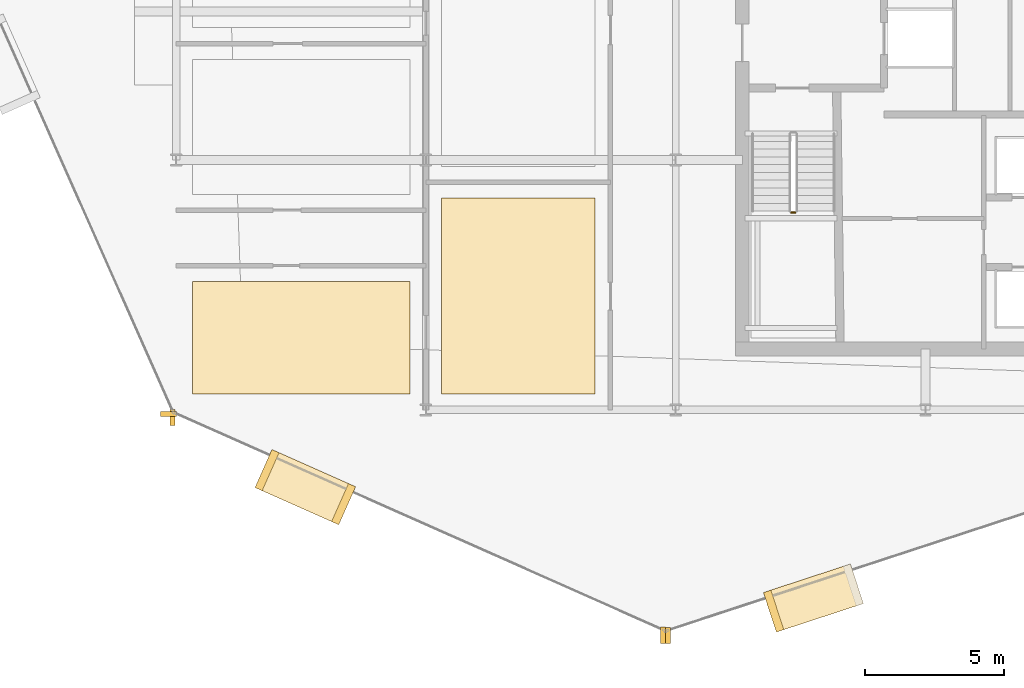
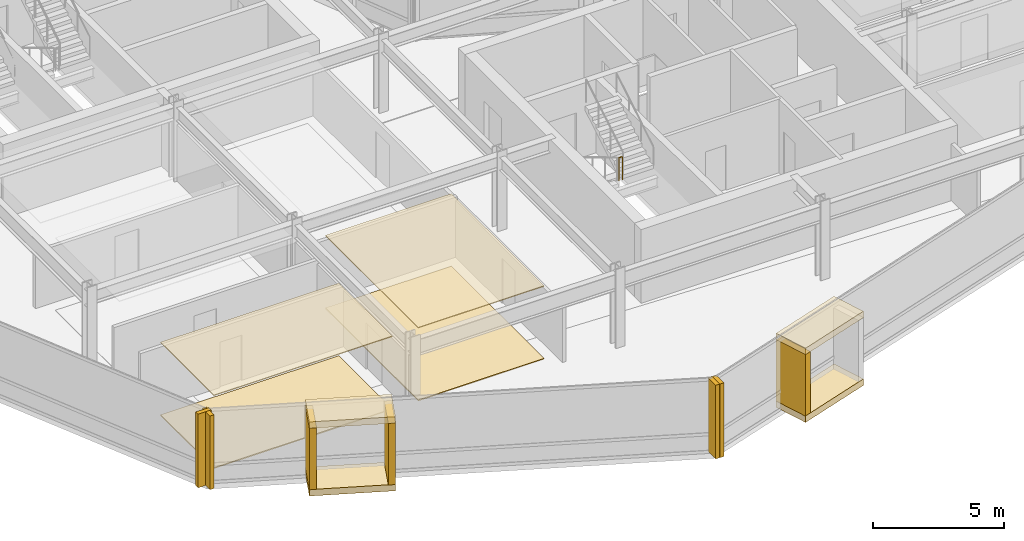
# One storey, part 25 of 29: 15 coverings, 1 railing.
"""IFC4 building model written with IfcOpenShell, lengths in metres."""

from ifc_helpers import new_model, si_unit, direction, frame, origin, origin_2d, place, context, subcontext, project, spatial, polyline, rectangle, circle, outline, extrude, material, layer, layer_set, type_object, element, save


model = new_model("IFC4")

# Units and contexts
model_context = context("Model", 3, precision=1e-05, world=origin(), true_north=direction((0.0, 1.0)))
body_context = subcontext(model_context, "Body", "Model", "MODEL_VIEW")
ifc_project = project(units=[si_unit("LENGTHUNIT", "METRE"), si_unit("AREAUNIT", "SQUARE_METRE"), si_unit("VOLUMEUNIT", "CUBIC_METRE"), si_unit("PLANEANGLEUNIT", "RADIAN"), si_unit("MASSUNIT", "GRAM", prefix="KILO")], contexts=[model_context])

# Site, building, storey
site_placement = place(None, origin())
site = spatial("IfcSite", under=ifc_project, at=site_placement, CompositionType="ELEMENT")
building_placement = place(site_placement, origin())
building = spatial("IfcBuilding", under=site, at=building_placement, Name="Solvaryn Broadcast Tower", CompositionType="ELEMENT")
storey_placement = place(building_placement, frame((0.0, 0.0, 143.300048828125)))
storey = spatial("IfcBuildingStorey", under=building, at=storey_placement, Name="L35", CompositionType="ELEMENT", Elevation=143.300048828125)

# Coverings
ifc_material_1 = material(Name="Micro-Perforated Acoustic Gypsum Ceiling", Category="concrete")
ifc_layer_1 = layer(ifc_material_1, 0.0400390625)
ifc_layer_set_1 = layer_set([ifc_layer_1], Name="CV-CEIL-ACOUSTIC")
covering_type_1 = type_object("IfcCoveringType", Name="CV-CEIL-ACOUSTIC", PredefinedType="CEILING", material=ifc_layer_set_1)
covering_1_placement = place(storey_placement, frame((0.0, 0.0, 3.3798828125)))
element("IfcCovering", 1, at=covering_1_placement, inside=storey, type_object=covering_type_1, Name="L35 Room Acoustic Ceiling 1", PredefinedType="CEILING", context=body_context, shape_type="SweptSolid", body=[
    extrude(outline(polyline([(18.570068359375, 9.570068359375), (24.10009765625, 9.570068359375), (24.10009765625, 16.6298828125), (18.570068359375, 16.6298828125), (18.570068359375, 9.570068359375)])), origin(), (0.0, 0.0, 1.0), 0.0400390625),
])
covering_2_placement = place(storey_placement, frame((0.0, 0.0, 3.3798828125)))
element("IfcCovering", 2, at=covering_2_placement, inside=storey, type_object=covering_type_1, Name="L35 Room Acoustic Ceiling 3", PredefinedType="CEILING", context=body_context, shape_type="SweptSolid", body=[
    extrude(outline(polyline([(9.60009765625, 9.570068359375), (17.429931640625, 9.570068359375), (17.429931640625, 13.6298828125), (9.60009765625, 13.6298828125), (9.60009765625, 9.570068359375)])), origin(), (0.0, 0.0, 1.0), 0.0400390625),
])
ifc_material_2 = material(Name="Newsroom Raised Data Access Flooring", Category="steel")
ifc_layer_2 = layer(ifc_material_2, 0.050048828125)
ifc_layer_set_2 = layer_set([ifc_layer_2], Name="CV-FLOOR-RAISED")
covering_type_2 = type_object("IfcCoveringType", Name="CV-FLOOR-RAISED", PredefinedType="FLOORING", material=ifc_layer_set_2)
covering_3_placement = place(storey_placement, origin())
element("IfcCovering", 3, at=covering_3_placement, inside=storey, type_object=covering_type_2, Name="L35 Room Acoustic Floor Finish 1", PredefinedType="FLOORING", context=body_context, shape_type="SweptSolid", body=[
    extrude(outline(polyline([(18.570068359375, 9.570068359375), (24.10009765625, 9.570068359375), (24.10009765625, 16.6298828125), (18.570068359375, 16.6298828125), (18.570068359375, 9.570068359375)])), origin(), (0.0, 0.0, 1.0), 0.050048828125),
])
covering_4_placement = place(storey_placement, origin())
element("IfcCovering", 4, at=covering_4_placement, inside=storey, type_object=covering_type_2, Name="L35 Room Acoustic Floor Finish 3", PredefinedType="FLOORING", context=body_context, shape_type="SweptSolid", body=[
    extrude(outline(polyline([(9.60009765625, 9.570068359375), (17.429931640625, 9.570068359375), (17.429931640625, 13.6298828125), (9.60009765625, 13.6298828125), (9.60009765625, 9.570068359375)])), origin(), (0.0, 0.0, 1.0), 0.050048828125),
])
ifc_material_3 = material(Name="Glazed Architectural Terracotta Rainscreen Cladding", Category="masonry")
ifc_layer_3 = layer(ifc_material_3, 0.280029296875)
ifc_layer_set_3 = layer_set([ifc_layer_3], Name="CV-TC-CLAD")
covering_type_3 = type_object("IfcCoveringType", Name="CV-TC-CLAD", PredefinedType="CLADDING", material=ifc_layer_set_3)
for number, where, z_axis, x_axis, name in (
    (5, (13.656982421875, 6.218994140625, 3.1298828125), (0.0, 0.0, 1.0), (0.913900054426, -0.405939269498, 0.0), "L35 Projecting Stone Window Box Hood 3"),
    (6, (13.656982421875, 6.218994140625, -0.01025390625), (0.0, 0.0, 1.0), (0.913900054426, -0.405939269498, 0.0), "L35 Projecting Stone Window Box Sill 3"),
):
    element("IfcCovering", number, at=place(storey_placement, frame(where, z_axis=z_axis, x_axis=x_axis)), inside=storey, type_object=covering_type_3, Name=name, PredefinedType="CLADDING", context=body_context, shape_type="SweptSolid", body=[
        extrude(rectangle(XDim=3.300048828125, YDim=1.5, at=origin_2d()), origin(), (0.0, 0.0, 1.0), 0.300048828125),
    ])
for number, where, z_axis, x_axis, name in (
    (7, (12.277099609375, 6.83203125, 0.27978515625), (0.0, 0.0, 1.0), (0.913900054426, -0.405939269498, 0.0), "L35 Projecting Stone Window Box Cheek 3-1"),
    (8, (15.037109375, 5.60595703125, 0.27978515625), (0.0, 0.0, 1.0), (0.913900054426, -0.405939269498, 0.0), "L35 Projecting Stone Window Box Cheek 3-2"),
):
    element("IfcCovering", number, at=place(storey_placement, frame(where, z_axis=z_axis, x_axis=x_axis)), inside=storey, type_object=covering_type_3, Name=name, PredefinedType="CLADDING", context=body_context, shape_type="SweptSolid", body=[
        extrude(rectangle(XDim=0.280029296875, YDim=1.5, at=origin_2d()), origin(), (0.0, 0.0, 1.0), 2.860107421875),
    ])
for number, where, z_axis, x_axis, name in (
    (9, (31.9619140625, 2.222900390625, 3.1298828125), (0.0, 0.0, 1.0), (0.950189870912, 0.311671636848, 0.0), "L35 Projecting Stone Window Box Hood 4"),
    (10, (31.9619140625, 2.222900390625, -0.01025390625), (0.0, 0.0, 1.0), (0.950189870912, 0.311671636848, 0.0), "L35 Projecting Stone Window Box Sill 4"),
):
    element("IfcCovering", number, at=place(storey_placement, frame(where, z_axis=z_axis, x_axis=x_axis)), inside=storey, type_object=covering_type_3, Name=name, PredefinedType="CLADDING", context=body_context, shape_type="SweptSolid", body=[
        extrude(rectangle(XDim=3.300048828125, YDim=1.5, at=origin_2d()), origin(), (0.0, 0.0, 1.0), 0.300048828125),
    ])
covering_5_placement = place(storey_placement, frame((30.527099609375, 1.75244140625, 0.27978515625), z_axis=(0.0, 0.0, 1.0), x_axis=(0.950189870912, 0.311671636848, 0.0)))
element("IfcCovering", 11, at=covering_5_placement, inside=storey, type_object=covering_type_3, Name="L35 Projecting Stone Window Box Cheek 4-1", PredefinedType="CLADDING", context=body_context, shape_type="SweptSolid", body=[
    extrude(rectangle(XDim=0.280029296875, YDim=1.5, at=origin_2d()), origin(), (0.0, 0.0, 1.0), 2.860107421875),
])
ifc_material_4 = material(Name="Extruded Architectural Terracotta Fin", Category="masonry")
ifc_layer_4 = layer(ifc_material_4, 0.179931640625)
ifc_layer_set_4 = layer_set([ifc_layer_4], Name="CV-TC-FIN")
covering_type_4 = type_object("IfcCoveringType", Name="CV-TC-FIN", PredefinedType="USERDEFINED", material=ifc_layer_set_4)
covering_6_placement = place(storey_placement, frame((8.731689453125, 8.86279296875, 0.0), z_axis=(0.0, 0.0, 1.0), x_axis=(1.0, 0.0, 0.0)))
element("IfcCovering", 12, at=covering_6_placement, inside=storey, type_object=covering_type_4, Name="L35 Terracotta Vertical Fin FIN-L35-DR2-M01", ObjectType="FIN", PredefinedType="USERDEFINED", context=body_context, shape_type="SweptSolid", body=[
    extrude(rectangle(XDim=0.580078125, YDim=0.179931640625, at=origin_2d()), origin(), (0.0, 0.0, 1.0), 3.419921875),
])
for number, where, z_axis, x_axis, name in (
    (13, (8.86279296875, 8.731689453125, 0.0), (0.0, 0.0, 1.0), (1.0, 0.0, 0.0), "L35 Terracotta Vertical Fin FIN-L35-DR3-M00"),
    (14, (26.535888671875, 0.8818359375, 0.0), (0.0, 0.0, 1.0), (1.0, 0.0, 0.0), "L35 Terracotta Vertical Fin FIN-L35-DR3-M01"),
    (15, (26.720703125, 0.872314453125, 0.0), (0.0, 0.0, 1.0), (1.0, 0.0, 0.0), "L35 Terracotta Vertical Fin FIN-L35-DR4-M00"),
):
    element("IfcCovering", number, at=place(storey_placement, frame(where, z_axis=z_axis, x_axis=x_axis)), inside=storey, type_object=covering_type_4, Name=name, ObjectType="FIN", PredefinedType="USERDEFINED", context=body_context, shape_type="SweptSolid", body=[
        extrude(rectangle(XDim=0.179931640625, YDim=0.580078125, at=origin_2d()), origin(), (0.0, 0.0, 1.0), 3.419921875),
    ])

# Railing
ifc_material_5 = material(Name="Painted Steel Stair Well Guard", Category="steel")
railing_type = type_object("IfcRailingType", Name="RL-STAIR-GUARD", PredefinedType="BALUSTRADE", material=ifc_material_5)
railing_placement = place(storey_placement, frame((31.159912109375, 16.110107421875, 1.849853515625)))
element("IfcRailing", 16, at=railing_placement, inside=storey, type_object=railing_type, Name="L35 ST3 stair guard 2", PredefinedType="BALUSTRADE", context=body_context, shape_type="SweptSolid", body=[
    extrude(circle(Radius=0.02392578125, at=origin_2d()), frame((0.0, 0.0, 1.076171875), z_axis=(1.0, 0.0, 0.0), x_axis=(0.0, 1.0, 0.0)), (0.0, 0.0, 1.0), 0.150146484375),
    extrude(circle(Radius=0.02099609375, at=origin_2d()), origin(), (0.0, 0.0, 1.0), 1.052001953125),
    extrude(circle(Radius=0.02099609375, at=origin_2d()), frame((0.150146484375, 0.0, 0.0)), (0.0, 0.0, 1.0), 1.052001953125),
])

save(model, "model.ifc")
